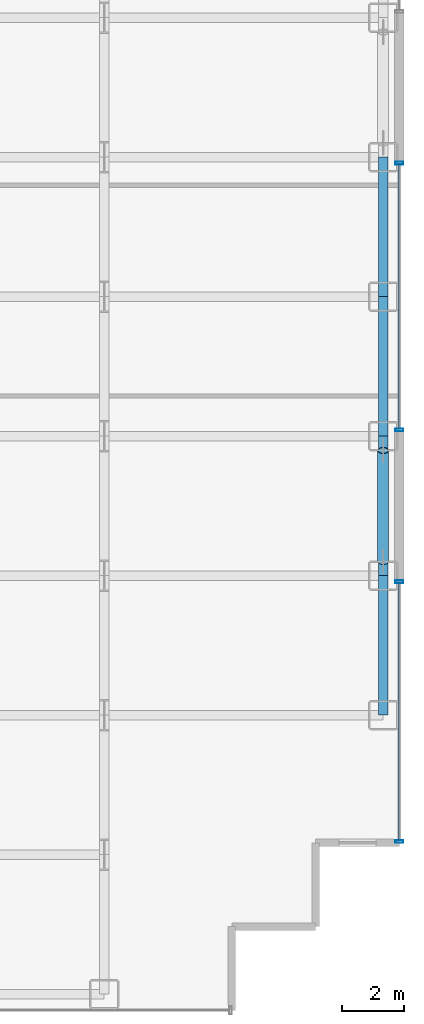
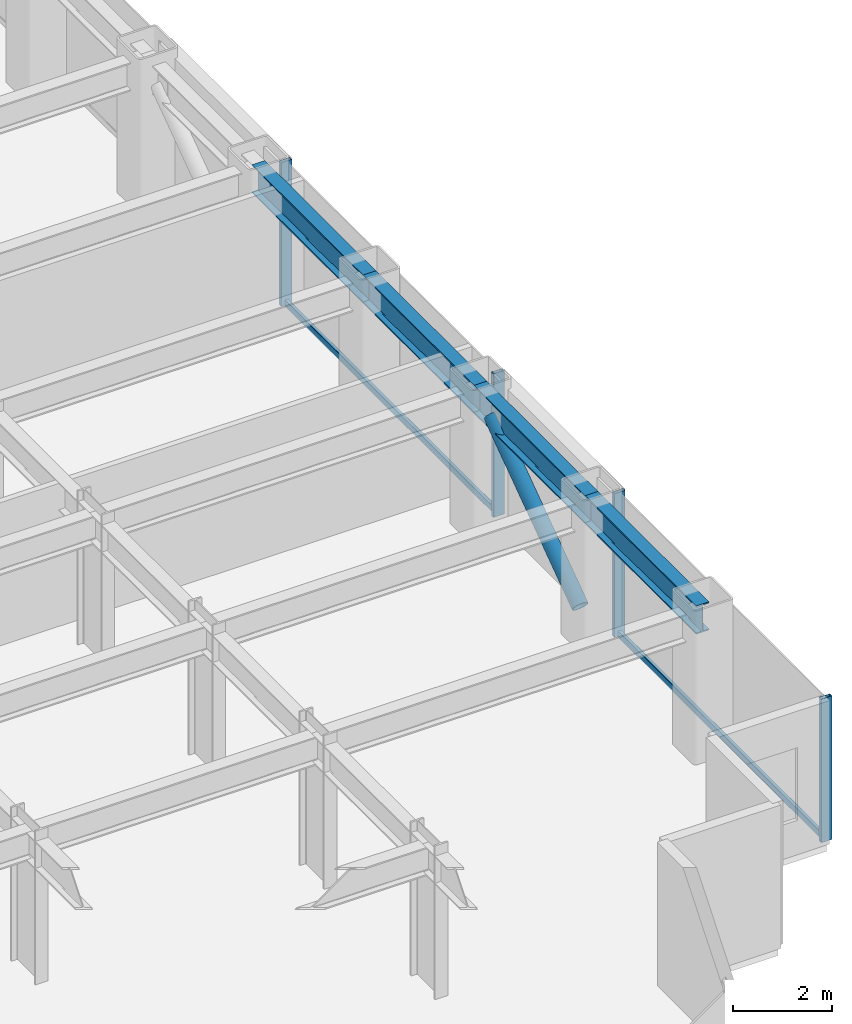
# One storey, part 18 of 28: 7 members, 4 beams, 2 elements without a shape of their own.
"""IFC4 building model written with IfcOpenShell, lengths in metres."""

import ifcopenshell
import ifcopenshell.guid

model = None  # the IFC model being written
_history = None  # IfcOwnerHistory: only IFC2X3 demands one
_inside = {}  # id of a spatial element -> (the spatial element, [elements in it])
_under = {}  # id of a project, library or spatial element -> (it, [spatial elements below it])
_declared = {}  # id of a project -> (the project, [libraries it declares])
_typed = {}  # id of a type object -> (the type object, [elements of that type])
_made_of = {}  # id of a material, layer set ... -> (it, [elements and type objects made of it])


def new_model(schema):
    """Start an empty IFC model of exactly this schema.

    Asked for "IFC4X3", IfcOpenShell would pick the latest addendum, in which some entities
    have other attributes; the version numbers below select the first issue.
    IFC2X3 requires an IfcOwnerHistory on every rooted entity: one is made here for all.
    """
    global model, _history
    if schema == "IFC4X3":
        model = ifcopenshell.file(schema_version=(4, 3, 0, 0))
    else:
        model = ifcopenshell.file(schema=schema)
    _inside.clear()
    _under.clear()
    _declared.clear()
    _typed.clear()
    _made_of.clear()
    _history = None
    if model.schema == "IFC2X3":
        org = make("IfcOrganization", Name="unknown")
        user = make(
            "IfcPersonAndOrganization",
            ThePerson=make("IfcPerson", FamilyName="unknown"),
            TheOrganization=org,
        )
        app = make(
            "IfcApplication",
            ApplicationDeveloper=org,
            Version="unknown",
            ApplicationFullName="unknown",
            ApplicationIdentifier="unknown",
        )
        _history = make(
            "IfcOwnerHistory",
            OwningUser=user,
            OwningApplication=app,
            ChangeAction="ADDED",
            CreationDate=0,
        )
    return model


def make(cls, **values):
    """One entity of the class cls with the attributes given. An attribute that is None is left unset."""
    return model.create_entity(
        cls, **{name: value for name, value in values.items() if value is not None}
    )


def rooted(cls, **values):
    """An entity with a GlobalId (a new one), such as an element, a storey or a relation."""
    return make(cls, GlobalId=ifcopenshell.guid.new(), OwnerHistory=_history, **values)


def si_unit(unit_type, name, prefix=None):
    """IfcSIUnit, for example si_unit("LENGTHUNIT", "METRE", prefix="MILLI")."""
    return make("IfcSIUnit", UnitType=unit_type, Prefix=prefix, Name=name)


def assignment(units):
    """IfcUnitAssignment: the units of a project."""
    return None if units is None else make("IfcUnitAssignment", Units=units)


def point(xyz):
    """IfcCartesianPoint."""
    return None if xyz is None else make("IfcCartesianPoint", Coordinates=xyz)


def direction(xyz):
    """IfcDirection."""
    return None if xyz is None else make("IfcDirection", DirectionRatios=xyz)


def frame(location, z_axis=None, x_axis=None):
    """IfcAxis2Placement3D, a coordinate frame: its origin and axes. An axis left out is left unset."""
    return make(
        "IfcAxis2Placement3D",
        Location=point(location),
        Axis=direction(z_axis),
        RefDirection=direction(x_axis),
    )


def frame_2d(location, x_axis=None):
    """IfcAxis2Placement2D, a coordinate frame in the plane: its origin and x axis."""
    return make(
        "IfcAxis2Placement2D", Location=point(location), RefDirection=direction(x_axis)
    )


def origin():
    """The frame at (0, 0, 0) with its axes left unset."""
    return frame((0.0, 0.0, 0.0))


def origin_2d():
    """The frame at (0, 0) in the plane with its x axis left unset."""
    return frame_2d((0.0, 0.0))


def place(relative_to, where):
    """IfcLocalPlacement: puts the frame where relative to a parent placement (None: the world)."""
    return make(
        "IfcLocalPlacement", PlacementRelTo=relative_to, RelativePlacement=where
    )


def context(
    kind, dimensions, precision=None, world=None, true_north=None, identifier=None
):
    """IfcGeometricRepresentationContext, for example the 3D "Model" context."""
    return make(
        "IfcGeometricRepresentationContext",
        ContextIdentifier=identifier,
        ContextType=kind,
        CoordinateSpaceDimension=dimensions,
        Precision=precision,
        WorldCoordinateSystem=world,
        TrueNorth=true_north,
    )


def subcontext(parent, identifier, kind, view, scale=None):
    """IfcGeometricRepresentationSubContext, for example "Body" below "Model"."""
    return make(
        "IfcGeometricRepresentationSubContext",
        ContextIdentifier=identifier,
        ContextType=kind,
        ParentContext=parent,
        TargetScale=scale,
        TargetView=view,
    )


def project(units=None, contexts=None):
    """IfcProject with its units and contexts."""
    return rooted(
        "IfcProject",
        Name="project",
        RepresentationContexts=contexts,
        UnitsInContext=assignment(units),
    )


def spatial(cls, under=None, at=None, **own):
    """A site, building, storey or space (cls), placed at a placement, below another one or the project."""
    s = rooted(cls, ObjectPlacement=at, **own)
    if under is not None:
        _under.setdefault(under.id(), (under, []))[1].append(s)
    return s


def profile(cls, at=None, kind="AREA", **sizes):
    """A parametric profile (cls). Its sizes go by their IFC names, for example OverallWidth=200.0."""
    return make(cls, ProfileType=kind, Position=at, **sizes)


def hollow_rectangle(**sizes):
    """IfcRectangleHollowProfileDef."""
    return profile("IfcRectangleHollowProfileDef", **sizes)


def hollow_circle(**sizes):
    """IfcCircleHollowProfileDef."""
    return profile("IfcCircleHollowProfileDef", **sizes)


def i_section(**sizes):
    """IfcIShapeProfileDef."""
    return profile("IfcIShapeProfileDef", **sizes)


def extrude(swept, where, along, depth):
    """IfcExtrudedAreaSolid: the profile swept, set in the frame where, extruded along a direction by depth."""
    return make(
        "IfcExtrudedAreaSolid",
        SweptArea=swept,
        Position=where,
        ExtrudedDirection=direction(along),
        Depth=depth,
    )


def shape(context_of_items, identifier, shape_type, items):
    """IfcShapeRepresentation: the items that make up one representation, for example the "Body"."""
    return make(
        "IfcShapeRepresentation",
        ContextOfItems=context_of_items,
        RepresentationIdentifier=identifier,
        RepresentationType=shape_type,
        Items=items,
    )


def source(mapping_origin, context_of_items, identifier, shape_type, items):
    """IfcRepresentationMap: a shape defined once, which mapped items show again and again."""
    return make(
        "IfcRepresentationMap",
        MappingOrigin=mapping_origin,
        MappedRepresentation=shape(context_of_items, identifier, shape_type, items),
    )


def transform(
    local_origin,
    x_axis=None,
    y_axis=None,
    z_axis=None,
    scale=None,
    scale2=None,
    scale3=None,
    uniform=True,
):
    """IfcCartesianTransformationOperator3D, or its non-uniform kind. x_axis, y_axis, z_axis: its Axis1, 2, 3."""
    if uniform:
        return make(
            "IfcCartesianTransformationOperator3D",
            Axis1=direction(x_axis),
            Axis2=direction(y_axis),
            LocalOrigin=point(local_origin),
            Scale=scale,
            Axis3=direction(z_axis),
        )
    return make(
        "IfcCartesianTransformationOperator3DnonUniform",
        Axis1=direction(x_axis),
        Axis2=direction(y_axis),
        LocalOrigin=point(local_origin),
        Scale=scale,
        Axis3=direction(z_axis),
        Scale2=scale2,
        Scale3=scale3,
    )


def mapped(mapping_source, mapping_target):
    """IfcMappedItem: shows the shape of a source again, moved by a transform."""
    return make(
        "IfcMappedItem", MappingSource=mapping_source, MappingTarget=mapping_target
    )


def material(Name=None, Category=None):
    """IfcMaterial."""
    return make("IfcMaterial", Name=Name, Category=Category)


def layer(
    of_material, thickness, ventilated=None, Name=None, Category=None, Priority=None
):
    """IfcMaterialLayer: one layer of a wall or slab, of a material (None: an air gap)."""
    return make(
        "IfcMaterialLayer",
        Material=of_material,
        LayerThickness=thickness,
        IsVentilated=ventilated,
        Name=Name,
        Category=Category,
        Priority=Priority,
    )


def layer_set(layers, Name=None):
    """IfcMaterialLayerSet."""
    return make("IfcMaterialLayerSet", MaterialLayers=layers, LayerSetName=Name)


def material_profile(
    of_material, cross_section, Name=None, Category=None, Priority=None
):
    """IfcMaterialProfile: a cross section and its material."""
    return make(
        "IfcMaterialProfile",
        Name=Name,
        Material=of_material,
        Profile=cross_section,
        Priority=Priority,
        Category=Category,
    )


def profile_set(profiles, Name=None, composite=None):
    """IfcMaterialProfileSet."""
    return make(
        "IfcMaterialProfileSet",
        Name=Name,
        MaterialProfiles=profiles,
        CompositeProfile=composite,
    )


def made_of(thing, what):
    """Note that an element or type object is made of a material, layer set ...; save() writes the relation."""
    if what is not None:
        _made_of.setdefault(what.id(), (what, []))[1].append(thing)
    return thing


def type_object(cls, material=None, **own):
    """A type object (cls), such as IfcWallType, which elements share."""
    return made_of(rooted(cls, **own), material)


def element(
    cls,
    number,
    at=None,
    inside=None,
    cuts=None,
    type_object=None,
    material=None,
    context=None,
    identifier="Body",
    shape_type=None,
    held_by="IfcProductDefinitionShape",
    body=None,
    shapes=None,
    **own,
):
    """One element of the class cls, such as IfcWall. Its Tag is "e" and its number.

    at: its placement. inside: the storey or other place that contains it. cuts: it is an
    opening in that element (IfcRelVoidsElement). A single representation is given by context,
    identifier, shape_type and body (its items); several are given by shapes. held_by: the class
    of the entity that holds the representations. save() writes the other relations.
    """
    e = rooted(cls, Tag="e%d" % number, ObjectPlacement=at, **own)
    if body is not None:
        shapes = [shape(context, identifier, shape_type, body)]
    if shapes is not None:
        e.Representation = make(held_by, Representations=shapes)
    if inside is not None:
        _inside.setdefault(inside.id(), (inside, []))[1].append(e)
    if cuts is not None:
        rooted(
            "IfcRelVoidsElement", RelatingBuildingElement=cuts, RelatedOpeningElement=e
        )
    if type_object is not None:
        _typed.setdefault(type_object.id(), (type_object, []))[1].append(e)
    return made_of(e, material)


def aggregate(whole, parts):
    """IfcRelAggregates: a whole, such as a stair, and the parts it consists of."""
    return rooted("IfcRelAggregates", RelatingObject=whole, RelatedObjects=parts)


def save(model, path):
    """Write the relations noted so far, then the file.

    IfcRelAggregates (storeys below a building ...), IfcRelContainedInSpatialStructure (elements
    in a storey), IfcRelDefinesByType, IfcRelAssociatesMaterial and IfcRelDeclares: one each for
    every whole, place, type object, material and project.
    """
    for whole, parts in _under.values():
        aggregate(whole, parts)
    for where, things in _inside.values():
        rooted(
            "IfcRelContainedInSpatialStructure",
            RelatedElements=things,
            RelatingStructure=where,
        )
    for kind, things in _typed.values():
        rooted("IfcRelDefinesByType", RelatedObjects=things, RelatingType=kind)
    for what, things in _made_of.values():
        rooted("IfcRelAssociatesMaterial", RelatedObjects=things, RelatingMaterial=what)
    for by, libraries in _declared.values():
        rooted("IfcRelDeclares", RelatingContext=by, RelatedDefinitions=libraries)
    model.write(path)


model = new_model("IFC4")

# Units and contexts
model_context = context("Model", 3, precision=1e-05, world=origin(), true_north=direction((0.0, 1.0)))
body_context = subcontext(model_context, "Body", "Model", "MODEL_VIEW")
ifc_project = project(units=[si_unit("LENGTHUNIT", "METRE"), si_unit("AREAUNIT", "SQUARE_METRE"), si_unit("VOLUMEUNIT", "CUBIC_METRE"), si_unit("PLANEANGLEUNIT", "RADIAN"), si_unit("MASSUNIT", "GRAM", prefix="KILO")], contexts=[model_context])

# Site, building, storey
site_placement = place(None, origin())
site = spatial("IfcSite", under=ifc_project, at=site_placement, CompositionType="ELEMENT")
building_placement = place(site_placement, origin())
building = spatial("IfcBuilding", under=site, at=building_placement, Name="Nefas-Gora Pilgrimage Tower", CompositionType="ELEMENT")
storey_placement = place(building_placement, frame((0.0, 0.0, 102.199951171875)))
storey = spatial("IfcBuildingStorey", under=building, at=storey_placement, Name="L24", CompositionType="ELEMENT", Elevation=102.199951171875)

# Beams
ifc_material_1 = material(Name="Steel S355", Category="steel")
ifc_material_profile_1 = material_profile(ifc_material_1, i_section(OverallWidth=0.300048828125, OverallDepth=0.699951171875, WebThickness=0.01708984375, FlangeThickness=0.031982421875, FilletRadius=0.027099609375, at=origin_2d()), Name="HEB 700")
ifc_profile_set_1 = profile_set([ifc_material_profile_1], Name="Steel S355")
beam_type = type_object("IfcBeamType", Name="BM-SPN-HEB600", PredefinedType="SPANDREL", material=ifc_profile_set_1)
shared_shape_1 = source(origin(), body_context, "Body", "SweptSolid", [
    extrude(i_section(OverallWidth=0.300048828125, OverallDepth=0.699951171875, WebThickness=0.01708984375, FlangeThickness=0.031982421875, FilletRadius=0.027099609375, at=origin_2d()), origin(), (0.0, 0.0, 1.0), 4.5),
])
for number, where, z_axis, x_axis, name in (
    (1, (33.75, -13.5, 3.199951171875), (0.0, 1.0, 0.0), (-1.0, 0.0, 0.0), "L24 SP-01 beam"),
    (2, (33.75, -9.0, 3.199951171875), (0.0, 1.0, 0.0), (-1.0, 0.0, 0.0), "L24 SP-01 beam"),
    (3, (33.75, -4.5, 3.199951171875), (0.0, 1.0, 0.0), (-1.0, 0.0, 0.0), "L24 SP-01 beam"),
    (4, (33.75, 0.0, 3.199951171875), (0.0, 1.0, 0.0), (-1.0, 0.0, 0.0), "L24 SP-01 beam"),
):
    element("IfcBeam", number, at=place(storey_placement, frame(where, z_axis=z_axis, x_axis=x_axis)), inside=storey, type_object=beam_type, Name=name, PredefinedType="SPANDREL", context=body_context, shape_type="MappedRepresentation", body=[
        mapped(shared_shape_1, transform((0.0, 0.0, 0.0), x_axis=(1.0, 0.0, 0.0), y_axis=(0.0, 1.0, 0.0), z_axis=(0.0, 0.0, 1.0), scale=1.0)),
    ])

# Member
ifc_material_2 = material(Name="Steel S460", Category="steel")
ifc_material_profile_2 = material_profile(ifc_material_2, hollow_circle(Radius=0.177734375, WallThickness=0.02001953125, at=origin_2d()), Name="CHS 355.6x20")
ifc_profile_set_2 = profile_set([ifc_material_profile_2], Name="Steel S460")
member_type_1 = type_object("IfcMemberType", Name="MEM-TUBE-356", PredefinedType="BRACE", material=ifc_profile_set_2)
shared_shape_2 = source(origin(), body_context, "Body", "SweptSolid", [
    extrude(hollow_circle(Radius=0.177734375, WallThickness=0.02001953125, at=origin_2d()), origin(), (0.0, 0.0, 1.0), 4.39501953125),
])
member_1_placement = place(storey_placement, frame((33.75, -8.537109375, 0.4814453125), z_axis=(0.0, 0.813264026864, 0.581894855287), x_axis=(-1.0, 0.0, 0.0)))
element("IfcMember", 5, at=member_1_placement, inside=storey, type_object=member_type_1, Name="L24 Perimeter Tube Diagonal Brace E1", PredefinedType="BRACE", context=body_context, shape_type="MappedRepresentation", body=[
    mapped(shared_shape_2, transform((0.0, 0.0, 0.0), x_axis=(1.0, 0.0, 0.0), y_axis=(0.0, 1.0, 0.0), z_axis=(0.0, 0.0, 1.0), scale=1.0)),
])

# Curtain wall, members
ifc_material_3 = material(Name="Dark ceramic-fritted solar-control aluminium-glass curtain wall", Category="aluminium")
ifc_layer = layer(ifc_material_3, 0.219970703125)
ifc_layer_set = layer_set([ifc_layer], Name="Dark ceramic-fritted solar-control aluminium-glass curtain wall")
curtain_wall_type = type_object("IfcCurtainWallType", Name="CW-SYS-2", PredefinedType="NOTDEFINED", material=ifc_layer_set)
curtain_wall_1_placement = place(storey_placement, origin())
curtain_wall_1 = element("IfcCurtainWall", 6, at=curtain_wall_1_placement, inside=storey, type_object=curtain_wall_type, Name="L24 Unitised Curtain Wall CW2", PredefinedType="NOTDEFINED")
ifc_material_4 = material(Name="Anodised architectural aluminium", Category="aluminium")
ifc_material_profile_3 = material_profile(ifc_material_4, hollow_rectangle(XDim=0.090087890625, YDim=0.260009765625, WallThickness=0.006103515625, InnerFilletRadius=0.006103515625, OuterFilletRadius=0.011962890625, at=origin_2d()), Name="ALU MULLION 90x260")
ifc_profile_set_3 = profile_set([ifc_material_profile_3], Name="Anodised architectural aluminium")
member_type_2 = type_object("IfcMemberType", Name="CWM-MUL-2", PredefinedType="MULLION", material=ifc_profile_set_3)
shared_shape_3 = source(origin(), body_context, "Body", "SweptSolid", [
    extrude(hollow_rectangle(XDim=0.090087890625, YDim=0.260009765625, WallThickness=0.006103515625, InnerFilletRadius=0.006103515625, OuterFilletRadius=0.011962890625, at=origin_2d()), origin(), (0.0, 0.0, 1.0), 3.550048828125),
])
member_2_placement = place(storey_placement, frame((34.27001953125, -17.574951171875, 0.0), z_axis=(0.0, 0.0, 1.0), x_axis=(0.0, 1.0, 0.0)))
member_2 = element("IfcMember", 7, at=member_2_placement, type_object=member_type_2, Name="CW2 Mullion 1", PredefinedType="MULLION", context=body_context, shape_type="MappedRepresentation", body=[
    mapped(shared_shape_3, transform((0.0, 0.0, 0.0), x_axis=(1.0, 0.0, 0.0), y_axis=(0.0, 1.0, 0.0), z_axis=(0.0, 0.0, 1.0), scale=1.0)),
])
member_3_placement = place(storey_placement, frame((34.27001953125, -9.195068359375, 0.0), z_axis=(0.0, 0.0, 1.0), x_axis=(0.0, 1.0, 0.0)))
member_3 = element("IfcMember", 8, at=member_3_placement, type_object=member_type_2, Name="CW2 Mullion 2", PredefinedType="MULLION", context=body_context, shape_type="MappedRepresentation", body=[
    mapped(shared_shape_3, transform((0.0, 0.0, 0.0), x_axis=(1.0, 0.0, 0.0), y_axis=(0.0, 1.0, 0.0), z_axis=(0.0, 0.0, 1.0), scale=1.0)),
])

curtain_wall_2_placement = place(storey_placement, origin())
curtain_wall_2 = element("IfcCurtainWall", 9, at=curtain_wall_2_placement, inside=storey, type_object=curtain_wall_type, Name="L24 Unitised Curtain Wall CW2", PredefinedType="NOTDEFINED")
member_4_placement = place(storey_placement, frame((34.27001953125, -4.304931640625, 0.0), z_axis=(0.0, 0.0, 1.0), x_axis=(0.0, 1.0, 0.0)))
member_4 = element("IfcMember", 10, at=member_4_placement, type_object=member_type_2, Name="CW2 Mullion 1", PredefinedType="MULLION", context=body_context, shape_type="MappedRepresentation", body=[
    mapped(shared_shape_3, transform((0.0, 0.0, 0.0), x_axis=(1.0, 0.0, 0.0), y_axis=(0.0, 1.0, 0.0), z_axis=(0.0, 0.0, 1.0), scale=1.0)),
])
member_5_placement = place(storey_placement, frame((34.27001953125, 4.304931640625, 0.0), z_axis=(0.0, 0.0, 1.0), x_axis=(0.0, 1.0, 0.0)))
member_5 = element("IfcMember", 11, at=member_5_placement, type_object=member_type_2, Name="CW2 Mullion 2", PredefinedType="MULLION", context=body_context, shape_type="MappedRepresentation", body=[
    mapped(shared_shape_3, transform((0.0, 0.0, 0.0), x_axis=(1.0, 0.0, 0.0), y_axis=(0.0, 1.0, 0.0), z_axis=(0.0, 0.0, 1.0), scale=1.0)),
])

# Member
ifc_material_profile_4 = material_profile(ifc_material_4, hollow_rectangle(XDim=0.080078125, YDim=0.159912109375, WallThickness=0.00439453125, InnerFilletRadius=0.00439453125, OuterFilletRadius=0.009033203125, at=origin_2d()), Name="ALU TRANSOM 80x160")
ifc_profile_set_4 = profile_set([ifc_material_profile_4], Name="Anodised architectural aluminium")
member_type_3 = type_object("IfcMemberType", Name="CWM-TRN-2", PredefinedType="USERDEFINED", material=ifc_profile_set_4)
shared_shape_4 = source(origin(), body_context, "Body", "SweptSolid", [
    extrude(hollow_rectangle(XDim=0.080078125, YDim=0.159912109375, WallThickness=0.00439453125, InnerFilletRadius=0.00439453125, OuterFilletRadius=0.009033203125, at=origin_2d()), origin(), (0.0, 0.0, 1.0), 8.2900390625),
])
member_6_placement = place(storey_placement, frame((34.27001953125, -17.530029296875, 0.050048828125), z_axis=(0.0, 1.0, 0.0), x_axis=(-1.0, 0.0, 0.0)))
member_6 = element("IfcMember", 12, at=member_6_placement, type_object=member_type_3, Name="CW2 Spandrel Transom", ObjectType="TRANSOM", PredefinedType="USERDEFINED", context=body_context, shape_type="MappedRepresentation", body=[
    mapped(shared_shape_4, transform((0.0, 0.0, 0.0), x_axis=(1.0, 0.0, 0.0), y_axis=(0.0, 1.0, 0.0), z_axis=(0.0, 0.0, 1.0), scale=1.0)),
])

aggregate(curtain_wall_1, [member_2, member_3, member_6])

shared_shape_5 = source(origin(), body_context, "Body", "SweptSolid", [
    extrude(hollow_rectangle(XDim=0.080078125, YDim=0.159912109375, WallThickness=0.00439453125, InnerFilletRadius=0.00439453125, OuterFilletRadius=0.009033203125, at=origin_2d()), origin(), (0.0, 0.0, 1.0), 8.52001953125),
])
member_7_placement = place(storey_placement, frame((34.27001953125, -4.260009765625, 0.050048828125), z_axis=(0.0, 1.0, 0.0), x_axis=(-1.0, 0.0, 0.0)))
member_7 = element("IfcMember", 13, at=member_7_placement, type_object=member_type_3, Name="CW2 Spandrel Transom", ObjectType="TRANSOM", PredefinedType="USERDEFINED", context=body_context, shape_type="MappedRepresentation", body=[
    mapped(shared_shape_5, transform((0.0, 0.0, 0.0), x_axis=(1.0, 0.0, 0.0), y_axis=(0.0, 1.0, 0.0), z_axis=(0.0, 0.0, 1.0), scale=1.0)),
])

aggregate(curtain_wall_2, [member_4, member_5, member_7])

save(model, "model.ifc")
